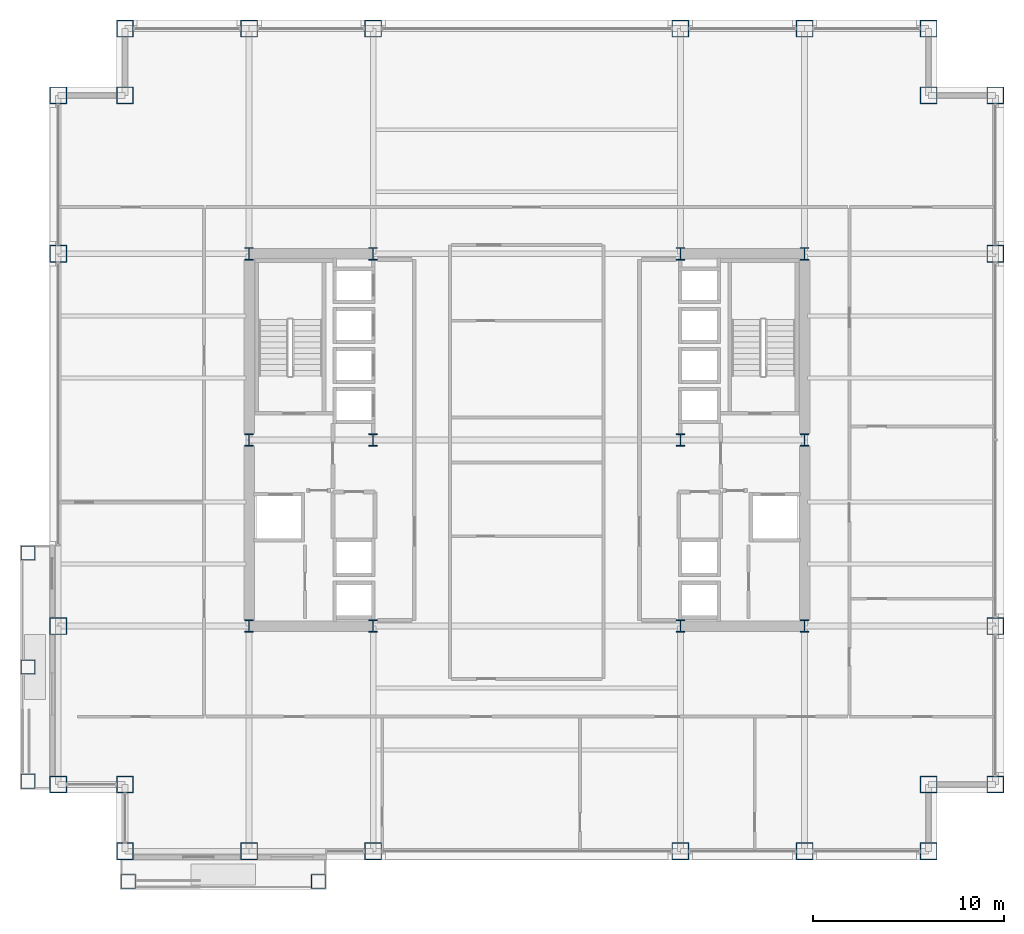
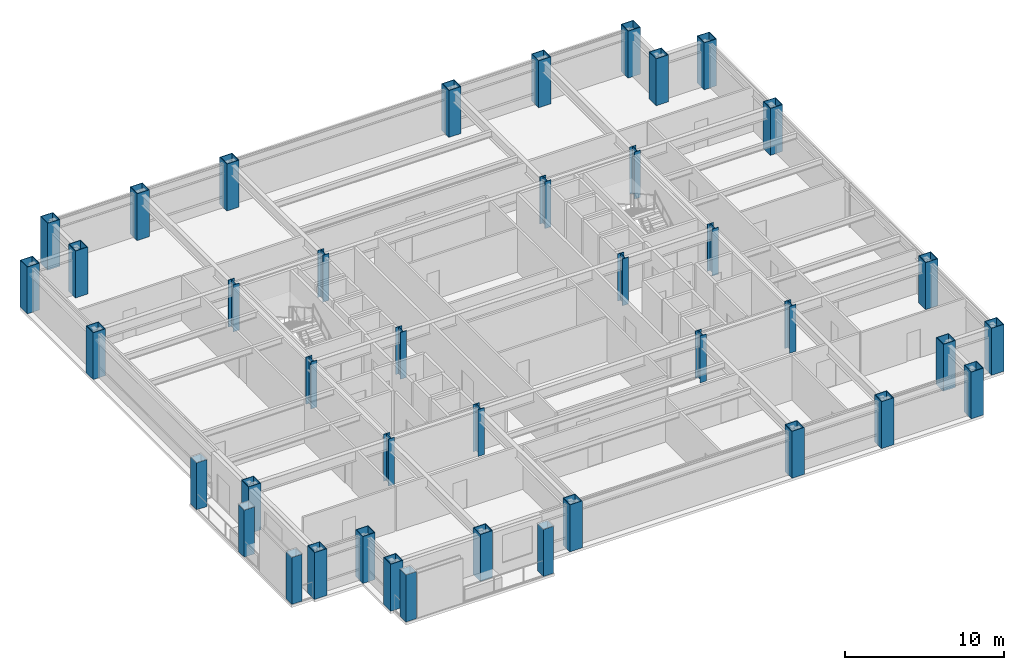
# One storey, part 1 of 29: 41 columns.
"""IFC4 building model written with IfcOpenShell, lengths in metres."""

from ifc_helpers import new_model, si_unit, direction, frame, origin, origin_2d, place, context, subcontext, project, spatial, hollow_rectangle, i_section, extrude, material, material_profile, profile_set, type_object, element, save


model = new_model("IFC4")

# Units and contexts
model_context = context("Model", 3, precision=1e-05, world=origin(), true_north=direction((0.0, 1.0)))
body_context = subcontext(model_context, "Body", "Model", "MODEL_VIEW")
ifc_project = project(units=[si_unit("LENGTHUNIT", "METRE"), si_unit("AREAUNIT", "SQUARE_METRE"), si_unit("VOLUMEUNIT", "CUBIC_METRE"), si_unit("PLANEANGLEUNIT", "RADIAN"), si_unit("MASSUNIT", "GRAM", prefix="KILO")], contexts=[model_context])

# Site, building, storey
site_placement = place(None, origin())
site = spatial("IfcSite", under=ifc_project, at=site_placement, CompositionType="ELEMENT")
building_placement = place(site_placement, origin())
building = spatial("IfcBuilding", under=site, at=building_placement, Name="Brelmoor Portico Tower", CompositionType="ELEMENT")
storey_placement = place(building_placement, frame((0.0, 0.0, 60.0)))
storey = spatial("IfcBuildingStorey", under=building, at=storey_placement, Name="L15", CompositionType="ELEMENT", Elevation=60.0)

# Columns
ifc_material = material(Name="Steel Q355B", Category="steel")
ifc_material_profile_1 = material_profile(ifc_material, hollow_rectangle(XDim=0.75, YDim=0.75, WallThickness=0.031982421875, at=origin_2d()), Name="BOX 750x750x32")
ifc_profile_set_1 = profile_set([ifc_material_profile_1], Name="Steel Q355B")
column_type_1 = type_object("IfcColumnType", Name="COL-MEGA-750", PredefinedType="COLUMN", material=ifc_profile_set_1)
for number, where, z_axis, x_axis, name in (
    (1, (-26.1298828125, -17.8798828125, 0.0), (0.0, 0.0, 1.0), (0.0, 1.0, 0.0), "L15 Proud Picture-Frame Pier PFJ-W1"),
    (2, (-26.1298828125, -5.919921875, 0.0), (0.0, 0.0, 1.0), (0.0, 1.0, 0.0), "L15 Proud Picture-Frame Pier PFJ-W2"),
    (3, (-26.1298828125, -11.89990234375, 0.0), (0.0, 0.0, 1.0), (0.0, 1.0, 0.0), "L15 Proud Picture-Frame Pier PFJ-W3"),
    (4, (-20.8798828125, -23.1298828125, 0.0), (0.0, 0.0, 1.0), (1.0, 0.0, 0.0), "L15 Proud Picture-Frame Pier PFJ-S1"),
    (5, (-10.919921875, -23.1298828125, 0.0), (0.0, 0.0, 1.0), (1.0, 0.0, 0.0), "L15 Proud Picture-Frame Pier PFJ-S2"),
):
    element("IfcColumn", number, at=place(storey_placement, frame(where, z_axis=z_axis, x_axis=x_axis)), inside=storey, type_object=column_type_1, Name=name, PredefinedType="COLUMN", context=body_context, shape_type="SweptSolid", body=[
        extrude(hollow_rectangle(XDim=0.75, YDim=0.75, WallThickness=0.031982421875, at=origin_2d()), origin(), (0.0, 0.0, 1.0), 3.60009765625),
    ])
ifc_material_profile_2 = material_profile(ifc_material, hollow_rectangle(XDim=0.89990234375, YDim=0.89990234375, WallThickness=0.044921875, at=origin_2d()), Name="BOX 900x900x45")
ifc_profile_set_2 = profile_set([ifc_material_profile_2], Name="Steel Q355B")
column_type_2 = type_object("IfcColumnType", Name="COL-MEGA-900", PredefinedType="COLUMN", material=ifc_profile_set_2)
for number, where, z_axis, x_axis, name in (
    (6, (-21.050048828125, -21.550048828125, 0.0), (0.0, 0.0, 1.0), (1.0, 0.0, 0.0), "L15 Perimeter Mega-Column PS01"),
    (7, (-14.550048828125, -21.550048828125, 0.0), (0.0, 0.0, 1.0), (1.0, 0.0, 0.0), "L15 Perimeter Mega-Column PS02"),
    (8, (-8.050048828125, -21.550048828125, 0.0), (0.0, 0.0, 1.0), (1.0, 0.0, 0.0), "L15 Perimeter Mega-Column PS03"),
    (9, (8.050048828125, -21.550048828125, 0.0), (0.0, 0.0, 1.0), (1.0, 0.0, 0.0), "L15 Perimeter Mega-Column PS04"),
    (10, (14.550048828125, -21.550048828125, 0.0), (0.0, 0.0, 1.0), (1.0, 0.0, 0.0), "L15 Perimeter Mega-Column PS05"),
    (11, (21.050048828125, -21.550048828125, 0.0), (0.0, 0.0, 1.0), (1.0, 0.0, 0.0), "L15 Perimeter Mega-Column PS06"),
    (12, (-21.050048828125, 21.550048828125, 0.0), (0.0, 0.0, 1.0), (1.0, 0.0, 0.0), "L15 Perimeter Mega-Column PN01"),
    (13, (-14.550048828125, 21.550048828125, 0.0), (0.0, 0.0, 1.0), (1.0, 0.0, 0.0), "L15 Perimeter Mega-Column PN02"),
    (14, (-8.050048828125, 21.550048828125, 0.0), (0.0, 0.0, 1.0), (1.0, 0.0, 0.0), "L15 Perimeter Mega-Column PN03"),
    (15, (8.050048828125, 21.550048828125, 0.0), (0.0, 0.0, 1.0), (1.0, 0.0, 0.0), "L15 Perimeter Mega-Column PN04"),
    (16, (14.550048828125, 21.550048828125, 0.0), (0.0, 0.0, 1.0), (1.0, 0.0, 0.0), "L15 Perimeter Mega-Column PN05"),
    (17, (21.050048828125, 21.550048828125, 0.0), (0.0, 0.0, 1.0), (1.0, 0.0, 0.0), "L15 Perimeter Mega-Column PN06"),
    (18, (-24.550048828125, -18.050048828125, 0.0), (0.0, 0.0, 1.0), (0.0, 1.0, 0.0), "L15 Perimeter Mega-Column PW01"),
    (19, (-24.550048828125, -9.75, 0.0), (0.0, 0.0, 1.0), (0.0, 1.0, 0.0), "L15 Perimeter Mega-Column PW02"),
    (20, (-24.550048828125, 9.75, 0.0), (0.0, 0.0, 1.0), (0.0, 1.0, 0.0), "L15 Perimeter Mega-Column PW03"),
    (21, (-24.550048828125, 18.050048828125, 0.0), (0.0, 0.0, 1.0), (0.0, 1.0, 0.0), "L15 Perimeter Mega-Column PW04"),
    (22, (24.550048828125, -18.050048828125, 0.0), (0.0, 0.0, 1.0), (0.0, 1.0, 0.0), "L15 Perimeter Mega-Column PE01"),
    (23, (24.550048828125, -9.75, 0.0), (0.0, 0.0, 1.0), (0.0, 1.0, 0.0), "L15 Perimeter Mega-Column PE02"),
    (24, (24.550048828125, 9.75, 0.0), (0.0, 0.0, 1.0), (0.0, 1.0, 0.0), "L15 Perimeter Mega-Column PE03"),
    (25, (24.550048828125, 18.050048828125, 0.0), (0.0, 0.0, 1.0), (0.0, 1.0, 0.0), "L15 Perimeter Mega-Column PE04"),
    (26, (-21.050048828125, 18.050048828125, 0.0), (0.0, 0.0, 1.0), (1.0, 0.0, 0.0), "L15 Perimeter Mega-Column PC-NW"),
    (27, (21.050048828125, 18.050048828125, 0.0), (0.0, 0.0, 1.0), (1.0, 0.0, 0.0), "L15 Perimeter Mega-Column PC-NE"),
    (28, (21.050048828125, -18.050048828125, 0.0), (0.0, 0.0, 1.0), (1.0, 0.0, 0.0), "L15 Perimeter Mega-Column PC-SE"),
    (29, (-21.050048828125, -18.050048828125, 0.0), (0.0, 0.0, 1.0), (1.0, 0.0, 0.0), "L15 Perimeter Mega-Column PC-SW"),
):
    element("IfcColumn", number, at=place(storey_placement, frame(where, z_axis=z_axis, x_axis=x_axis)), inside=storey, type_object=column_type_2, Name=name, PredefinedType="COLUMN", context=body_context, shape_type="SweptSolid", body=[
        extrude(hollow_rectangle(XDim=0.89990234375, YDim=0.89990234375, WallThickness=0.044921875, at=origin_2d()), origin(), (0.0, 0.0, 1.0), 3.60009765625),
    ])
ifc_material_profile_3 = material_profile(ifc_material, i_section(OverallWidth=0.449951171875, OverallDepth=0.64990234375, WebThickness=0.02490234375, FlangeThickness=0.0400390625, at=origin_2d()), Name="HW 650x450x25x40")
ifc_profile_set_3 = profile_set([ifc_material_profile_3], Name="Steel Q355B")
column_type_3 = type_object("IfcColumnType", Name="COL-SPINE-650", PredefinedType="COLUMN", material=ifc_profile_set_3)
for number, where, z_axis, x_axis, name in (
    (30, (-14.550048828125, -9.75, 0.0), (0.0, 0.0, 1.0), (1.0, 0.0, 0.0), "L15 Core Spine Column CW-SW"),
    (31, (-14.550048828125, 0.0, 0.0), (0.0, 0.0, 1.0), (1.0, 0.0, 0.0), "L15 Core Spine Column CW-MW"),
    (32, (-14.550048828125, 9.75, 0.0), (0.0, 0.0, 1.0), (1.0, 0.0, 0.0), "L15 Core Spine Column CW-NW"),
    (33, (-8.050048828125, -9.75, 0.0), (0.0, 0.0, 1.0), (1.0, 0.0, 0.0), "L15 Core Spine Column CW-SE"),
    (34, (-8.050048828125, 0.0, 0.0), (0.0, 0.0, 1.0), (1.0, 0.0, 0.0), "L15 Core Spine Column CW-ME"),
    (35, (-8.050048828125, 9.75, 0.0), (0.0, 0.0, 1.0), (1.0, 0.0, 0.0), "L15 Core Spine Column CW-NE"),
    (36, (8.050048828125, -9.75, 0.0), (0.0, 0.0, 1.0), (1.0, 0.0, 0.0), "L15 Core Spine Column CE-SW"),
    (37, (8.050048828125, 0.0, 0.0), (0.0, 0.0, 1.0), (1.0, 0.0, 0.0), "L15 Core Spine Column CE-MW"),
    (38, (8.050048828125, 9.75, 0.0), (0.0, 0.0, 1.0), (1.0, 0.0, 0.0), "L15 Core Spine Column CE-NW"),
    (39, (14.550048828125, -9.75, 0.0), (0.0, 0.0, 1.0), (1.0, 0.0, 0.0), "L15 Core Spine Column CE-SE"),
    (40, (14.550048828125, 0.0, 0.0), (0.0, 0.0, 1.0), (1.0, 0.0, 0.0), "L15 Core Spine Column CE-ME"),
    (41, (14.550048828125, 9.75, 0.0), (0.0, 0.0, 1.0), (1.0, 0.0, 0.0), "L15 Core Spine Column CE-NE"),
):
    element("IfcColumn", number, at=place(storey_placement, frame(where, z_axis=z_axis, x_axis=x_axis)), inside=storey, type_object=column_type_3, Name=name, PredefinedType="COLUMN", context=body_context, shape_type="SweptSolid", body=[
        extrude(i_section(OverallWidth=0.449951171875, OverallDepth=0.64990234375, WebThickness=0.02490234375, FlangeThickness=0.0400390625, at=origin_2d()), origin(), (0.0, 0.0, 1.0), 3.60009765625),
    ])

save(model, "model.ifc")
